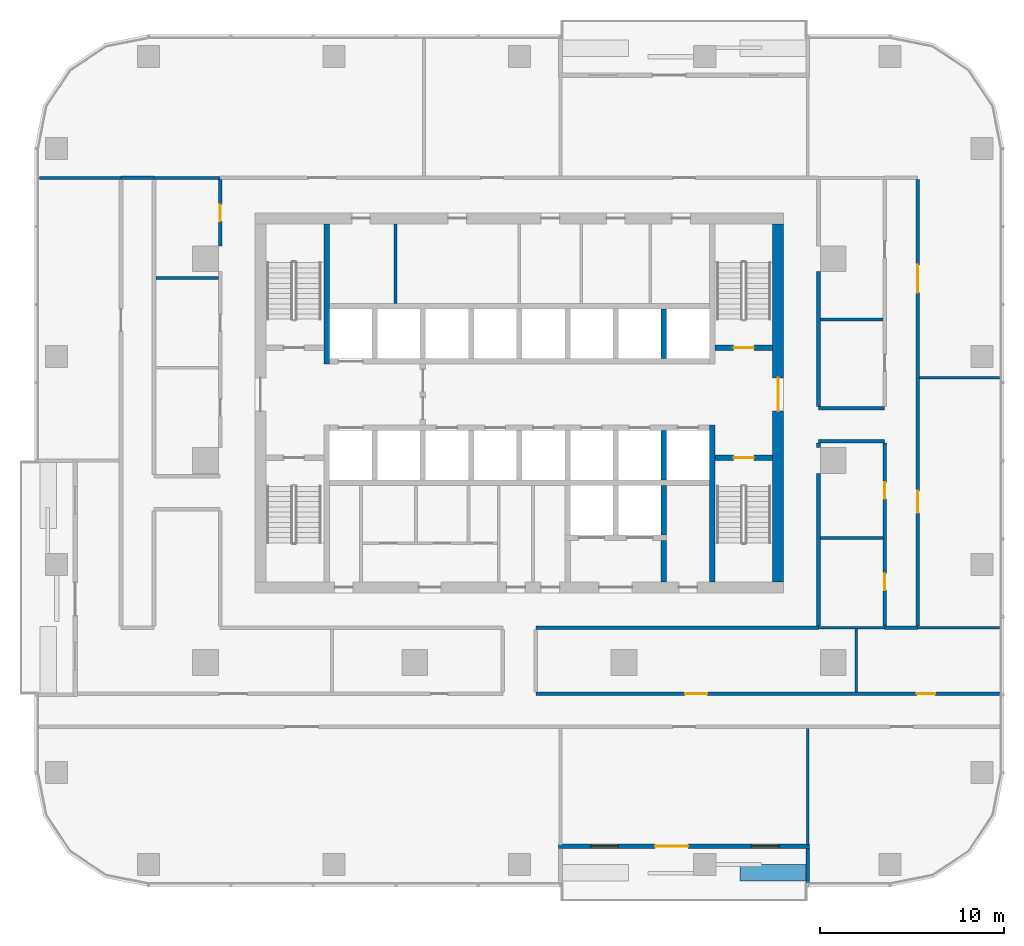
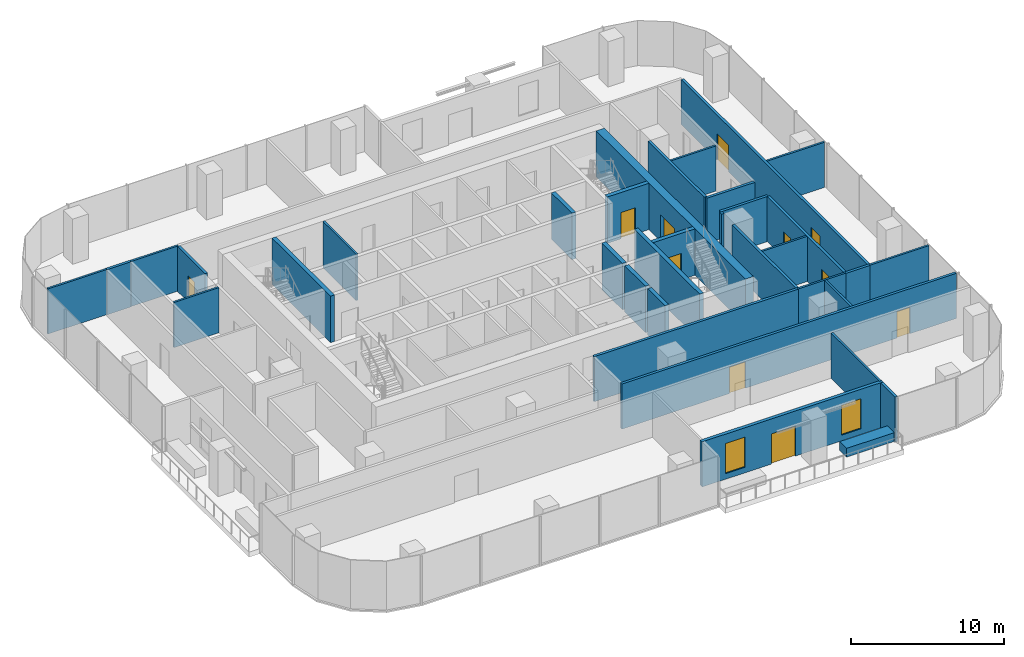
# One storey, part 9 of 14: 35 walls, 11 doors, 2 windows, 13 openings.
"""IFC4 building model written with IfcOpenShell, lengths in metres."""

import ifcopenshell
import ifcopenshell.guid

model = None  # the IFC model being written
_history = None  # IfcOwnerHistory: only IFC2X3 demands one
_inside = {}  # id of a spatial element -> (the spatial element, [elements in it])
_under = {}  # id of a project, library or spatial element -> (it, [spatial elements below it])
_declared = {}  # id of a project -> (the project, [libraries it declares])
_typed = {}  # id of a type object -> (the type object, [elements of that type])
_made_of = {}  # id of a material, layer set ... -> (it, [elements and type objects made of it])


def new_model(schema):
    """Start an empty IFC model of exactly this schema.

    Asked for "IFC4X3", IfcOpenShell would pick the latest addendum, in which some entities
    have other attributes; the version numbers below select the first issue.
    IFC2X3 requires an IfcOwnerHistory on every rooted entity: one is made here for all.
    """
    global model, _history
    if schema == "IFC4X3":
        model = ifcopenshell.file(schema_version=(4, 3, 0, 0))
    else:
        model = ifcopenshell.file(schema=schema)
    _inside.clear()
    _under.clear()
    _declared.clear()
    _typed.clear()
    _made_of.clear()
    _history = None
    if model.schema == "IFC2X3":
        org = make("IfcOrganization", Name="unknown")
        user = make(
            "IfcPersonAndOrganization",
            ThePerson=make("IfcPerson", FamilyName="unknown"),
            TheOrganization=org,
        )
        app = make(
            "IfcApplication",
            ApplicationDeveloper=org,
            Version="unknown",
            ApplicationFullName="unknown",
            ApplicationIdentifier="unknown",
        )
        _history = make(
            "IfcOwnerHistory",
            OwningUser=user,
            OwningApplication=app,
            ChangeAction="ADDED",
            CreationDate=0,
        )
    return model


def make(cls, **values):
    """One entity of the class cls with the attributes given. An attribute that is None is left unset."""
    return model.create_entity(
        cls, **{name: value for name, value in values.items() if value is not None}
    )


def rooted(cls, **values):
    """An entity with a GlobalId (a new one), such as an element, a storey or a relation."""
    return make(cls, GlobalId=ifcopenshell.guid.new(), OwnerHistory=_history, **values)


def si_unit(unit_type, name, prefix=None):
    """IfcSIUnit, for example si_unit("LENGTHUNIT", "METRE", prefix="MILLI")."""
    return make("IfcSIUnit", UnitType=unit_type, Prefix=prefix, Name=name)


def assignment(units):
    """IfcUnitAssignment: the units of a project."""
    return None if units is None else make("IfcUnitAssignment", Units=units)


def point(xyz):
    """IfcCartesianPoint."""
    return None if xyz is None else make("IfcCartesianPoint", Coordinates=xyz)


def direction(xyz):
    """IfcDirection."""
    return None if xyz is None else make("IfcDirection", DirectionRatios=xyz)


def frame(location, z_axis=None, x_axis=None):
    """IfcAxis2Placement3D, a coordinate frame: its origin and axes. An axis left out is left unset."""
    return make(
        "IfcAxis2Placement3D",
        Location=point(location),
        Axis=direction(z_axis),
        RefDirection=direction(x_axis),
    )


def frame_2d(location, x_axis=None):
    """IfcAxis2Placement2D, a coordinate frame in the plane: its origin and x axis."""
    return make(
        "IfcAxis2Placement2D", Location=point(location), RefDirection=direction(x_axis)
    )


def origin():
    """The frame at (0, 0, 0) with its axes left unset."""
    return frame((0.0, 0.0, 0.0))


def place(relative_to, where):
    """IfcLocalPlacement: puts the frame where relative to a parent placement (None: the world)."""
    return make(
        "IfcLocalPlacement", PlacementRelTo=relative_to, RelativePlacement=where
    )


def context(
    kind, dimensions, precision=None, world=None, true_north=None, identifier=None
):
    """IfcGeometricRepresentationContext, for example the 3D "Model" context."""
    return make(
        "IfcGeometricRepresentationContext",
        ContextIdentifier=identifier,
        ContextType=kind,
        CoordinateSpaceDimension=dimensions,
        Precision=precision,
        WorldCoordinateSystem=world,
        TrueNorth=true_north,
    )


def subcontext(parent, identifier, kind, view, scale=None):
    """IfcGeometricRepresentationSubContext, for example "Body" below "Model"."""
    return make(
        "IfcGeometricRepresentationSubContext",
        ContextIdentifier=identifier,
        ContextType=kind,
        ParentContext=parent,
        TargetScale=scale,
        TargetView=view,
    )


def project(units=None, contexts=None):
    """IfcProject with its units and contexts."""
    return rooted(
        "IfcProject",
        Name="project",
        RepresentationContexts=contexts,
        UnitsInContext=assignment(units),
    )


def spatial(cls, under=None, at=None, **own):
    """A site, building, storey or space (cls), placed at a placement, below another one or the project."""
    s = rooted(cls, ObjectPlacement=at, **own)
    if under is not None:
        _under.setdefault(under.id(), (under, []))[1].append(s)
    return s


def profile(cls, at=None, kind="AREA", **sizes):
    """A parametric profile (cls). Its sizes go by their IFC names, for example OverallWidth=200.0."""
    return make(cls, ProfileType=kind, Position=at, **sizes)


def rectangle(**sizes):
    """IfcRectangleProfileDef."""
    return profile("IfcRectangleProfileDef", **sizes)


def extrude(swept, where, along, depth):
    """IfcExtrudedAreaSolid: the profile swept, set in the frame where, extruded along a direction by depth."""
    return make(
        "IfcExtrudedAreaSolid",
        SweptArea=swept,
        Position=where,
        ExtrudedDirection=direction(along),
        Depth=depth,
    )


def shape(context_of_items, identifier, shape_type, items):
    """IfcShapeRepresentation: the items that make up one representation, for example the "Body"."""
    return make(
        "IfcShapeRepresentation",
        ContextOfItems=context_of_items,
        RepresentationIdentifier=identifier,
        RepresentationType=shape_type,
        Items=items,
    )


def material(Name=None, Category=None):
    """IfcMaterial."""
    return make("IfcMaterial", Name=Name, Category=Category)


def layer(
    of_material, thickness, ventilated=None, Name=None, Category=None, Priority=None
):
    """IfcMaterialLayer: one layer of a wall or slab, of a material (None: an air gap)."""
    return make(
        "IfcMaterialLayer",
        Material=of_material,
        LayerThickness=thickness,
        IsVentilated=ventilated,
        Name=Name,
        Category=Category,
        Priority=Priority,
    )


def layer_set(layers, Name=None):
    """IfcMaterialLayerSet."""
    return make("IfcMaterialLayerSet", MaterialLayers=layers, LayerSetName=Name)


def made_of(thing, what):
    """Note that an element or type object is made of a material, layer set ...; save() writes the relation."""
    if what is not None:
        _made_of.setdefault(what.id(), (what, []))[1].append(thing)
    return thing


def type_object(cls, material=None, **own):
    """A type object (cls), such as IfcWallType, which elements share."""
    return made_of(rooted(cls, **own), material)


def element(
    cls,
    number,
    at=None,
    inside=None,
    cuts=None,
    type_object=None,
    material=None,
    context=None,
    identifier="Body",
    shape_type=None,
    held_by="IfcProductDefinitionShape",
    body=None,
    shapes=None,
    **own,
):
    """One element of the class cls, such as IfcWall. Its Tag is "e" and its number.

    at: its placement. inside: the storey or other place that contains it. cuts: it is an
    opening in that element (IfcRelVoidsElement). A single representation is given by context,
    identifier, shape_type and body (its items); several are given by shapes. held_by: the class
    of the entity that holds the representations. save() writes the other relations.
    """
    e = rooted(cls, Tag="e%d" % number, ObjectPlacement=at, **own)
    if body is not None:
        shapes = [shape(context, identifier, shape_type, body)]
    if shapes is not None:
        e.Representation = make(held_by, Representations=shapes)
    if inside is not None:
        _inside.setdefault(inside.id(), (inside, []))[1].append(e)
    if cuts is not None:
        rooted(
            "IfcRelVoidsElement", RelatingBuildingElement=cuts, RelatedOpeningElement=e
        )
    if type_object is not None:
        _typed.setdefault(type_object.id(), (type_object, []))[1].append(e)
    return made_of(e, material)


def fill(opening, filler):
    """IfcRelFillsElement: the door or window that sits in an opening."""
    return rooted(
        "IfcRelFillsElement",
        RelatingOpeningElement=opening,
        RelatedBuildingElement=filler,
    )


def aggregate(whole, parts):
    """IfcRelAggregates: a whole, such as a stair, and the parts it consists of."""
    return rooted("IfcRelAggregates", RelatingObject=whole, RelatedObjects=parts)


def save(model, path):
    """Write the relations noted so far, then the file.

    IfcRelAggregates (storeys below a building ...), IfcRelContainedInSpatialStructure (elements
    in a storey), IfcRelDefinesByType, IfcRelAssociatesMaterial and IfcRelDeclares: one each for
    every whole, place, type object, material and project.
    """
    for whole, parts in _under.values():
        aggregate(whole, parts)
    for where, things in _inside.values():
        rooted(
            "IfcRelContainedInSpatialStructure",
            RelatedElements=things,
            RelatingStructure=where,
        )
    for kind, things in _typed.values():
        rooted("IfcRelDefinesByType", RelatedObjects=things, RelatingType=kind)
    for what, things in _made_of.values():
        rooted("IfcRelAssociatesMaterial", RelatedObjects=things, RelatingMaterial=what)
    for by, libraries in _declared.values():
        rooted("IfcRelDeclares", RelatingContext=by, RelatedDefinitions=libraries)
    model.write(path)


model = new_model("IFC4")

# Units and contexts
model_context = context("Model", 3, precision=1e-05, world=origin(), true_north=direction((0.0, 1.0)))
body_context = subcontext(model_context, "Body", "Model", "MODEL_VIEW")
ifc_project = project(units=[si_unit("LENGTHUNIT", "METRE"), si_unit("AREAUNIT", "SQUARE_METRE"), si_unit("VOLUMEUNIT", "CUBIC_METRE"), si_unit("PLANEANGLEUNIT", "RADIAN"), si_unit("MASSUNIT", "GRAM", prefix="KILO")], contexts=[model_context])

# Site, building, storey
site_placement = place(None, origin())
site = spatial("IfcSite", under=ifc_project, at=site_placement, CompositionType="ELEMENT")
building_placement = place(site_placement, origin())
building = spatial("IfcBuilding", under=site, at=building_placement, Name="Mopane Tessera Tower", CompositionType="ELEMENT")
storey_placement = place(building_placement, frame((0.0, 0.0, 189.0)))
storey = spatial("IfcBuildingStorey", under=building, at=storey_placement, Name="L39", CompositionType="ELEMENT", Elevation=189.0)

# Wall
ifc_material_1 = material(Name="Fire-rated gypsum board partition")
ifc_layer_1 = layer(ifc_material_1, 0.14990234375)
ifc_layer_set_1 = layer_set([ifc_layer_1], Name="Fire-rated gypsum board partition")
wall_type_1 = type_object("IfcWallType", Name="Core room partition 150 mm", PredefinedType="PARTITIONING", material=ifc_layer_set_1)
wall_1_placement = place(storey_placement, frame((-6.75, 8.550048828125, 0.0), z_axis=(0.0, 0.0, 1.0), x_axis=(0.0, 1.0, 0.0)))
element("IfcWall", 1, at=wall_1_placement, inside=storey, type_object=wall_type_1, Name="L39 Room partition", PredefinedType="PARTITIONING", context=body_context, shape_type="SweptSolid", body=[
    extrude(rectangle(XDim=4.349853515625, YDim=0.14990234375, at=frame_2d((2.1748046875, 0.0))), origin(), (0.0, 0.0, 1.0), 3.699951171875),
])

# Wall, opening, door
ifc_material_2 = material(Name="Concrete C70/85", Category="concrete")
ifc_layer_2 = layer(ifc_material_2, 0.60009765625)
ifc_layer_set_2 = layer_set([ifc_layer_2], Name="Concrete C70/85")
wall_type_2 = type_object("IfcWallType", Name="Core shear wall 600 mm", PredefinedType="SHEAR", material=ifc_layer_set_2)
wall_2_placement = place(storey_placement, frame((14.10009765625, -6.60009765625, 0.0), z_axis=(0.0, 0.0, 1.0), x_axis=(0.0, 1.0, 0.0)))
wall_2 = element("IfcWall", 2, at=wall_2_placement, inside=storey, type_object=wall_type_2, Name="L39 Core wall east", PredefinedType="SHEAR", context=body_context, shape_type="SweptSolid", body=[
    extrude(rectangle(XDim=19.5, YDim=0.60009765625, at=frame_2d((9.75, 0.0))), origin(), (0.0, 0.0, 1.0), 3.699951171875),
])
opening_1_placement = place(wall_2_placement, frame((9.300048828125, 0.0, 0.0)))
opening_1 = element("IfcOpeningElement", 3, at=opening_1_placement, cuts=wall_2, Name="Opening SD2", PredefinedType="OPENING", context=body_context, shape_type="SweptSolid", body=[
    extrude(rectangle(XDim=1.800048828125, YDim=2.10009765625, at=frame_2d((0.89990234375, 1.050048828125))), frame((0.0, 0.31201171875, 0.0), z_axis=(0.0, -1.0, 0.0), x_axis=(1.0, 0.0, 0.0)), (0.0, 0.0, 1.0), 0.6240234375),
])
ifc_material_3 = material(Name="Steel fire door", Category="steel")
door_type_1 = type_object("IfcDoorType", Name="Core entrance double door 1800 x 2100", OperationType="DOUBLE_DOOR_SINGLE_SWING", PredefinedType="DOOR", material=ifc_material_3)
door_1_placement = place(opening_1_placement, origin())
door_1 = element("IfcDoor", 4, at=door_1_placement, inside=storey, type_object=door_type_1, Name="L39 Core entrance door east", OperationType="DOUBLE_DOOR_SINGLE_SWING", OverallHeight=2.10009765625, OverallWidth=1.800048828125, PredefinedType="DOOR", context=body_context, shape_type="SweptSolid", body=[
    extrude(rectangle(XDim=1.800048828125, YDim=2.10009765625, at=frame_2d((0.89990234375, 1.050048828125))), frame((0.0, 0.02490234375, 0.0), z_axis=(0.0, -1.0, 0.0), x_axis=(1.0, 0.0, 0.0)), (0.0, 0.0, 1.0), 0.050048828125),
])
fill(opening_1, door_1)

# Walls
ifc_material_4 = material(Name="Concrete C60/75", Category="concrete")
ifc_layer_3 = layer(ifc_material_4, 0.300048828125)
ifc_layer_set_3 = layer_set([ifc_layer_3], Name="Concrete C60/75")
wall_type_3 = type_object("IfcWallType", Name="Core spine wall 300 mm", PredefinedType="SHEAR", material=ifc_layer_set_3)
wall_3_placement = place(storey_placement, frame((-10.5, 5.25, 0.0), z_axis=(0.0, 0.0, 1.0), x_axis=(0.0, 1.0, 0.0)))
element("IfcWall", 5, at=wall_3_placement, inside=storey, type_object=wall_type_3, Name="L39 Core spine wall", PredefinedType="SHEAR", context=body_context, shape_type="SweptSolid", body=[
    extrude(rectangle(XDim=7.64990234375, YDim=0.300048828125, at=frame_2d((3.824951171875, 0.0))), origin(), (0.0, 0.0, 1.0), 3.699951171875),
])
wall_4_placement = place(storey_placement, frame((10.5, -6.60009765625, 0.0), z_axis=(0.0, 0.0, 1.0), x_axis=(0.0, 1.0, 0.0)))
element("IfcWall", 6, at=wall_4_placement, inside=storey, type_object=wall_type_3, Name="L39 Core spine wall", PredefinedType="SHEAR", context=body_context, shape_type="SweptSolid", body=[
    extrude(rectangle(XDim=8.550048828125, YDim=0.300048828125, at=frame_2d((4.27490234375, 0.0))), origin(), (0.0, 0.0, 1.0), 3.699951171875),
])

# Wall, openings, doors
ifc_material_5 = material(Name="Gypsum board on steel studs, two layers each face, mineral wool infill", Category="steel")
ifc_layer_4 = layer(ifc_material_5, 0.199951171875)
ifc_layer_set_4 = layer_set([ifc_layer_4], Name="Gypsum board on steel studs, two layers each face, mineral wool infill")
wall_type_4 = type_object("IfcWallType", Name="Gypsum board corridor wall 200, rated EI 60", PredefinedType="PARTITIONING", material=ifc_layer_set_4)
wall_5_placement = place(storey_placement, frame((0.89990234375, -12.699951171875, 0.0), z_axis=(0.0, 0.0, 1.0), x_axis=(1.0, 0.0, 0.0)))
wall_5 = element("IfcWall", 7, at=wall_5_placement, inside=storey, type_object=wall_type_4, Name="Partition L39:002", PredefinedType="PARTITIONING", context=body_context, shape_type="SweptSolid", body=[
    extrude(rectangle(XDim=25.25, YDim=0.199951171875, at=frame_2d((12.625, 0.0))), origin(), (0.0, 0.0, 1.0), 3.60009765625),
])
opening_2_placement = place(wall_5_placement, frame((20.75, 0.0, 0.0)))
opening_2 = element("IfcOpeningElement", 8, at=opening_2_placement, cuts=wall_5, Name="Opening L39-09", PredefinedType="OPENING", context=body_context, shape_type="SweptSolid", body=[
    extrude(rectangle(XDim=1.0, YDim=2.10009765625, at=frame_2d((0.5, 1.050048828125))), frame((0.0, 0.112060546875, 0.0), z_axis=(0.0, -1.0, 0.0), x_axis=(1.0, 0.0, 0.0)), (0.0, 0.0, 1.0), 0.223876953125),
])
opening_3_placement = place(wall_5_placement, frame((8.125, 0.0, 0.0)))
opening_3 = element("IfcOpeningElement", 9, at=opening_3_placement, cuts=wall_5, Name="Opening L39-10", PredefinedType="OPENING", context=body_context, shape_type="SweptSolid", body=[
    extrude(rectangle(XDim=1.199951171875, YDim=2.10009765625, at=frame_2d((0.60009765625, 1.050048828125))), frame((0.0, 0.112060546875, 0.0), z_axis=(0.0, -1.0, 0.0), x_axis=(1.0, 0.0, 0.0)), (0.0, 0.0, 1.0), 0.223876953125),
])
ifc_material_6 = material(Name="Timber veneered steel-framed fire door", Category="steel")
door_type_2 = type_object("IfcDoorType", Name="Fire door FD60 1000 x 2100", OperationType="SINGLE_SWING_LEFT", PredefinedType="DOOR", material=ifc_material_6)
door_2_placement = place(opening_2_placement, origin())
door_2 = element("IfcDoor", 10, at=door_2_placement, inside=storey, type_object=door_type_2, Name="Door L39-09", ObjectType="D12A", OperationType="SINGLE_SWING_RIGHT", OverallHeight=2.10009765625, OverallWidth=1.0, PredefinedType="DOOR", context=body_context, shape_type="SweptSolid", body=[
    extrude(rectangle(XDim=1.0, YDim=2.10009765625, at=frame_2d((0.5, 1.050048828125))), frame((0.0, 0.02490234375, 0.0), z_axis=(0.0, -1.0, 0.0), x_axis=(1.0, 0.0, 0.0)), (0.0, 0.0, 1.0), 0.050048828125),
])
fill(opening_2, door_2)
ifc_material_7 = material(Name="Timber veneered steel-framed fire door", Category="steel")
door_type_3 = type_object("IfcDoorType", Name="Fire door FD60 1200 x 2100", OperationType="SINGLE_SWING_LEFT", PredefinedType="DOOR", material=ifc_material_7)
door_3_placement = place(opening_3_placement, origin())
door_3 = element("IfcDoor", 11, at=door_3_placement, inside=storey, type_object=door_type_3, Name="Door L39-10", ObjectType="D15A", OperationType="SINGLE_SWING_LEFT", OverallHeight=2.10009765625, OverallWidth=1.199951171875, PredefinedType="DOOR", context=body_context, shape_type="SweptSolid", body=[
    extrude(rectangle(XDim=1.199951171875, YDim=2.10009765625, at=frame_2d((0.60009765625, 1.050048828125))), frame((0.0, 0.02490234375, 0.0), z_axis=(0.0, -1.0, 0.0), x_axis=(1.0, 0.0, 0.0)), (0.0, 0.0, 1.0), 0.050048828125),
])
fill(opening_3, door_3)

# Walls
wall_6_placement = place(storey_placement, frame((0.89990234375, -9.10009765625, 0.0), z_axis=(0.0, 0.0, 1.0), x_axis=(1.0, 0.0, 0.0)))
element("IfcWall", 12, at=wall_6_placement, inside=storey, type_object=wall_type_4, Name="Partition L39:007", PredefinedType="PARTITIONING", context=body_context, shape_type="SweptSolid", body=[
    extrude(rectangle(XDim=15.400146484375, YDim=0.199951171875, at=frame_2d((7.7001953125, 0.0))), origin(), (0.0, 0.0, 1.0), 3.60009765625),
])
wall_7_placement = place(storey_placement, frame((19.89990234375, -9.10009765625, 0.0), z_axis=(0.0, 0.0, 1.0), x_axis=(1.0, 0.0, 0.0)))
element("IfcWall", 13, at=wall_7_placement, inside=storey, type_object=wall_type_4, Name="Partition L39:008", PredefinedType="PARTITIONING", context=body_context, shape_type="SweptSolid", body=[
    extrude(rectangle(XDim=1.800048828125, YDim=0.199951171875, at=frame_2d((0.89990234375, 0.0))), origin(), (0.0, 0.0, 1.0), 3.60009765625),
])
for number, where, z_axis, x_axis, name in (
    (14, (16.300048828125, 1.050048828125, 0.0), (0.0, 0.0, 1.0), (1.0, 0.0, 0.0), "Partition L39:013"),
    (15, (16.300048828125, 2.85009765625, 0.0), (0.0, 0.0, 1.0), (1.0, 0.0, 0.0), "Partition L39:014"),
):
    element("IfcWall", number, at=place(storey_placement, frame(where, z_axis=z_axis, x_axis=x_axis)), inside=storey, type_object=wall_type_4, Name=name, PredefinedType="PARTITIONING", context=body_context, shape_type="SweptSolid", body=[
        extrude(rectangle(XDim=3.599853515625, YDim=0.199951171875, at=frame_2d((1.7998046875, 0.0))), origin(), (0.0, 0.0, 1.0), 3.60009765625),
    ])
wall_8_placement = place(storey_placement, frame((-21.699951171875, 15.39990234375, 0.0), z_axis=(0.0, 0.0, 1.0), x_axis=(1.0, 0.0, 0.0)))
element("IfcWall", 16, at=wall_8_placement, inside=storey, type_object=wall_type_4, Name="Partition L39:022", PredefinedType="PARTITIONING", context=body_context, shape_type="SweptSolid", body=[
    extrude(rectangle(XDim=1.800048828125, YDim=0.199951171875, at=frame_2d((0.89990234375, 0.0))), origin(), (0.0, 0.0, 1.0), 3.60009765625),
])

# Wall, opening, door
wall_9_placement = place(storey_placement, frame((-16.300048828125, 11.699951171875, 0.0), z_axis=(0.0, 0.0, 1.0), x_axis=(0.0, 1.0, 0.0)))
wall_9 = element("IfcWall", 17, at=wall_9_placement, inside=storey, type_object=wall_type_4, Name="Partition L39:030", PredefinedType="PARTITIONING", context=body_context, shape_type="SweptSolid", body=[
    extrude(rectangle(XDim=3.60009765625, YDim=0.199951171875, at=frame_2d((1.800048828125, 0.0))), origin(), (0.0, 0.0, 1.0), 3.60009765625),
])
opening_4_placement = place(wall_9_placement, frame((1.35009765625, 0.0, 0.0)))
opening_4 = element("IfcOpeningElement", 18, at=opening_4_placement, cuts=wall_9, Name="Opening L39-17", PredefinedType="OPENING", context=body_context, shape_type="SweptSolid", body=[
    extrude(rectangle(XDim=0.89990234375, YDim=2.10009765625, at=frame_2d((0.449951171875, 1.050048828125))), frame((0.0, 0.112060546875, 0.0), z_axis=(0.0, -1.0, 0.0), x_axis=(1.0, 0.0, 0.0)), (0.0, 0.0, 1.0), 0.223876953125),
])
ifc_material_8 = material(Name="Timber veneered steel-framed fire door", Category="steel")
door_type_4 = type_object("IfcDoorType", Name="Fire door FD60 900 x 2100", OperationType="SINGLE_SWING_LEFT", PredefinedType="DOOR", material=ifc_material_8)
door_4_placement = place(opening_4_placement, origin())
door_4 = element("IfcDoor", 19, at=door_4_placement, inside=storey, type_object=door_type_4, Name="Door L39-17", ObjectType="D10A", OperationType="SINGLE_SWING_RIGHT", OverallHeight=2.10009765625, OverallWidth=0.89990234375, PredefinedType="DOOR", context=body_context, shape_type="SweptSolid", body=[
    extrude(rectangle(XDim=0.89990234375, YDim=2.10009765625, at=frame_2d((0.449951171875, 1.050048828125))), frame((0.0, 0.02490234375, 0.0), z_axis=(0.0, -1.0, 0.0), x_axis=(1.0, 0.0, 0.0)), (0.0, 0.0, 1.0), 0.050048828125),
])
fill(opening_4, door_4)

# Walls
wall_10_placement = place(storey_placement, frame((16.300048828125, -9.0, 0.0), z_axis=(0.0, 0.0, 1.0), x_axis=(0.0, 1.0, 0.0)))
element("IfcWall", 20, at=wall_10_placement, inside=storey, type_object=wall_type_4, Name="Partition L39:039", PredefinedType="PARTITIONING", context=body_context, shape_type="SweptSolid", body=[
    extrude(rectangle(XDim=8.300048828125, YDim=0.199951171875, at=frame_2d((4.14990234375, 0.0))), origin(), (0.0, 0.0, 1.0), 3.60009765625),
])
wall_11_placement = place(storey_placement, frame((16.300048828125, 0.699951171875, 0.0), z_axis=(0.0, 0.0, 1.0), x_axis=(0.0, 1.0, 0.0)))
element("IfcWall", 21, at=wall_11_placement, inside=storey, type_object=wall_type_4, Name="Partition L39:040", PredefinedType="PARTITIONING", context=body_context, shape_type="SweptSolid", body=[
    extrude(rectangle(XDim=0.25, YDim=0.199951171875, at=frame_2d((0.125, 0.0))), origin(), (0.0, 0.0, 1.0), 3.60009765625),
])
wall_12_placement = place(storey_placement, frame((16.300048828125, 2.949951171875, 0.0), z_axis=(0.0, 0.0, 1.0), x_axis=(0.0, 1.0, 0.0)))
element("IfcWall", 22, at=wall_12_placement, inside=storey, type_object=wall_type_4, Name="Partition L39:041", PredefinedType="PARTITIONING", context=body_context, shape_type="SweptSolid", body=[
    extrude(rectangle(XDim=7.35009765625, YDim=0.199951171875, at=frame_2d((3.675048828125, 0.0))), origin(), (0.0, 0.0, 1.0), 3.60009765625),
])

# Wall, openings, doors
wall_13_placement = place(storey_placement, frame((19.89990234375, -9.0, 0.0), z_axis=(0.0, 0.0, 1.0), x_axis=(0.0, 1.0, 0.0)))
wall_13 = element("IfcWall", 23, at=wall_13_placement, inside=storey, type_object=wall_type_4, Name="Partition L39:044", PredefinedType="PARTITIONING", context=body_context, shape_type="SweptSolid", body=[
    extrude(rectangle(XDim=9.949951171875, YDim=0.199951171875, at=frame_2d((4.97509765625, 0.0))), origin(), (0.0, 0.0, 1.0), 3.60009765625),
])
opening_5_placement = place(wall_13_placement, frame((1.9423828125, 0.0, 0.0)))
opening_5 = element("IfcOpeningElement", 24, at=opening_5_placement, cuts=wall_13, Name="Opening L39-05", PredefinedType="OPENING", context=body_context, shape_type="SweptSolid", body=[
    extrude(rectangle(XDim=0.89990234375, YDim=2.10009765625, at=frame_2d((0.449951171875, 1.050048828125))), frame((0.0, 0.112060546875, 0.0), z_axis=(0.0, -1.0, 0.0), x_axis=(1.0, 0.0, 0.0)), (0.0, 0.0, 1.0), 0.223876953125),
])
opening_6_placement = place(wall_13_placement, frame((6.91748046875, 0.0, 0.0)))
opening_6 = element("IfcOpeningElement", 25, at=opening_6_placement, cuts=wall_13, Name="Opening L39-07", PredefinedType="OPENING", context=body_context, shape_type="SweptSolid", body=[
    extrude(rectangle(XDim=0.89990234375, YDim=2.10009765625, at=frame_2d((0.449951171875, 1.050048828125))), frame((0.0, 0.112060546875, 0.0), z_axis=(0.0, -1.0, 0.0), x_axis=(1.0, 0.0, 0.0)), (0.0, 0.0, 1.0), 0.223876953125),
])
door_5_placement = place(opening_5_placement, origin())
door_5 = element("IfcDoor", 26, at=door_5_placement, inside=storey, type_object=door_type_4, Name="Door L39-05", ObjectType="D10A", OperationType="SINGLE_SWING_RIGHT", OverallHeight=2.10009765625, OverallWidth=0.89990234375, PredefinedType="DOOR", context=body_context, shape_type="SweptSolid", body=[
    extrude(rectangle(XDim=0.89990234375, YDim=2.10009765625, at=frame_2d((0.449951171875, 1.050048828125))), frame((0.0, 0.02490234375, 0.0), z_axis=(0.0, -1.0, 0.0), x_axis=(1.0, 0.0, 0.0)), (0.0, 0.0, 1.0), 0.050048828125),
])
fill(opening_5, door_5)
door_6_placement = place(opening_6_placement, origin())
door_6 = element("IfcDoor", 27, at=door_6_placement, inside=storey, type_object=door_type_4, Name="Door L39-07", ObjectType="D10A", OperationType="SINGLE_SWING_RIGHT", OverallHeight=2.10009765625, OverallWidth=0.89990234375, PredefinedType="DOOR", context=body_context, shape_type="SweptSolid", body=[
    extrude(rectangle(XDim=0.89990234375, YDim=2.10009765625, at=frame_2d((0.449951171875, 1.050048828125))), frame((0.0, 0.02490234375, 0.0), z_axis=(0.0, -1.0, 0.0), x_axis=(1.0, 0.0, 0.0)), (0.0, 0.0, 1.0), 0.050048828125),
])
fill(opening_6, door_6)

wall_14_placement = place(storey_placement, frame((21.699951171875, -9.0, 0.0), z_axis=(0.0, 0.0, 1.0), x_axis=(0.0, 1.0, 0.0)))
wall_14 = element("IfcWall", 28, at=wall_14_placement, inside=storey, type_object=wall_type_4, Name="Partition L39:046", PredefinedType="PARTITIONING", context=body_context, shape_type="SweptSolid", body=[
    extrude(rectangle(XDim=24.300048828125, YDim=0.199951171875, at=frame_2d((12.14990234375, 0.0))), origin(), (0.0, 0.0, 1.0), 3.60009765625),
])
opening_7_placement = place(wall_14_placement, frame((18.155029296875, 0.0, 0.0)))
opening_7 = element("IfcOpeningElement", 29, at=opening_7_placement, cuts=wall_14, Name="Opening L39-02", PredefinedType="OPENING", context=body_context, shape_type="SweptSolid", body=[
    extrude(rectangle(XDim=1.5, YDim=2.10009765625, at=frame_2d((0.75, 1.050048828125))), frame((0.0, 0.112060546875, 0.0), z_axis=(0.0, -1.0, 0.0), x_axis=(1.0, 0.0, 0.0)), (0.0, 0.0, 1.0), 0.223876953125),
])
opening_8_placement = place(wall_14_placement, frame((6.155029296875, 0.0, 0.0)))
opening_8 = element("IfcOpeningElement", 30, at=opening_8_placement, cuts=wall_14, Name="Opening L39-16", PredefinedType="OPENING", context=body_context, shape_type="SweptSolid", body=[
    extrude(rectangle(XDim=1.199951171875, YDim=2.10009765625, at=frame_2d((0.60009765625, 1.050048828125))), frame((0.0, 0.112060546875, 0.0), z_axis=(0.0, -1.0, 0.0), x_axis=(1.0, 0.0, 0.0)), (0.0, 0.0, 1.0), 0.223876953125),
])
door_7_placement = place(opening_8_placement, origin())
door_7 = element("IfcDoor", 31, at=door_7_placement, inside=storey, type_object=door_type_3, Name="Door L39-16", ObjectType="D15A", OperationType="SINGLE_SWING_RIGHT", OverallHeight=2.10009765625, OverallWidth=1.199951171875, PredefinedType="DOOR", context=body_context, shape_type="SweptSolid", body=[
    extrude(rectangle(XDim=1.199951171875, YDim=2.10009765625, at=frame_2d((0.60009765625, 1.050048828125))), frame((0.0, 0.02490234375, 0.0), z_axis=(0.0, -1.0, 0.0), x_axis=(1.0, 0.0, 0.0)), (0.0, 0.0, 1.0), 0.050048828125),
])
fill(opening_8, door_7)
ifc_material_9 = material(Name="Timber veneered steel-framed fire door", Category="steel")
door_type_5 = type_object("IfcDoorType", Name="Fire door pair FD60 1500 x 2100", OperationType="DOUBLE_DOOR_SINGLE_SWING", PredefinedType="DOOR", material=ifc_material_9)
door_8_placement = place(opening_7_placement, origin())
door_8 = element("IfcDoor", 32, at=door_8_placement, inside=storey, type_object=door_type_5, Name="Door L39-02", ObjectType="D17A", OperationType="DOUBLE_DOOR_SINGLE_SWING", OverallHeight=2.10009765625, OverallWidth=1.5, PredefinedType="DOOR", context=body_context, shape_type="SweptSolid", body=[
    extrude(rectangle(XDim=1.5, YDim=2.10009765625, at=frame_2d((0.75, 1.050048828125))), frame((0.0, 0.02490234375, 0.0), z_axis=(0.0, -1.0, 0.0), x_axis=(1.0, 0.0, 0.0)), (0.0, 0.0, 1.0), 0.050048828125),
])
fill(opening_7, door_8)

# Walls
ifc_material_10 = material(Name="Gypsum board on steel studs, mineral wool infill", Category="steel")
ifc_layer_5 = layer(ifc_material_10, 0.14990234375)
ifc_layer_set_5 = layer_set([ifc_layer_5], Name="Gypsum board on steel studs, mineral wool infill")
wall_type_5 = type_object("IfcWallType", Name="Gypsum board partition 150, rated EI 60", PredefinedType="PARTITIONING", material=ifc_layer_set_5)
wall_15_placement = place(storey_placement, frame((16.300048828125, -9.10009765625, 0.0), z_axis=(0.0, 0.0, 1.0), x_axis=(1.0, 0.0, 0.0)))
element("IfcWall", 33, at=wall_15_placement, inside=storey, type_object=wall_type_5, Name="Partition L39:003", PredefinedType="PARTITIONING", context=body_context, shape_type="SweptSolid", body=[
    extrude(rectangle(XDim=3.599853515625, YDim=0.14990234375, at=frame_2d((1.7998046875, 0.0))), origin(), (0.0, 0.0, 1.0), 3.60009765625),
])
wall_16_placement = place(storey_placement, frame((21.699951171875, -9.10009765625, 0.0), z_axis=(0.0, 0.0, 1.0), x_axis=(1.0, 0.0, 0.0)))
element("IfcWall", 34, at=wall_16_placement, inside=storey, type_object=wall_type_5, Name="Partition L39:004", PredefinedType="PARTITIONING", context=body_context, shape_type="SweptSolid", body=[
    extrude(rectangle(XDim=4.449951171875, YDim=0.14990234375, at=frame_2d((2.22509765625, 0.0))), origin(), (0.0, 0.0, 1.0), 3.60009765625),
])
wall_17_placement = place(storey_placement, frame((16.39990234375, -4.215087890625, 0.0), z_axis=(0.0, 0.0, 1.0), x_axis=(1.0, 0.0, 0.0)))
element("IfcWall", 35, at=wall_17_placement, inside=storey, type_object=wall_type_5, Name="Partition L39:009", PredefinedType="PARTITIONING", context=body_context, shape_type="SweptSolid", body=[
    extrude(rectangle(XDim=3.400146484375, YDim=0.14990234375, at=frame_2d((1.7001953125, 0.0))), origin(), (0.0, 0.0, 1.0), 3.60009765625),
])
wall_18_placement = place(storey_placement, frame((21.800048828125, 4.510009765625, 0.0), z_axis=(0.0, 0.0, 1.0), x_axis=(1.0, 0.0, 0.0)))
element("IfcWall", 36, at=wall_18_placement, inside=storey, type_object=wall_type_5, Name="Partition L39:015", PredefinedType="PARTITIONING", context=body_context, shape_type="SweptSolid", body=[
    extrude(rectangle(XDim=4.349853515625, YDim=0.14990234375, at=frame_2d((2.1748046875, 0.0))), origin(), (0.0, 0.0, 1.0), 3.60009765625),
])
for number, where, z_axis, x_axis, name in (
    (37, (16.39990234375, 7.68505859375, 0.0), (0.0, 0.0, 1.0), (1.0, 0.0, 0.0), "Partition L39:017"),
    (38, (-19.800048828125, 9.945068359375, 0.0), (0.0, 0.0, 1.0), (1.0, 0.0, 0.0), "Partition L39:018"),
):
    element("IfcWall", number, at=place(storey_placement, frame(where, z_axis=z_axis, x_axis=x_axis)), inside=storey, type_object=wall_type_5, Name=name, PredefinedType="PARTITIONING", context=body_context, shape_type="SweptSolid", body=[
        extrude(rectangle(XDim=3.400146484375, YDim=0.14990234375, at=frame_2d((1.7001953125, 0.0))), origin(), (0.0, 0.0, 1.0), 3.60009765625),
    ])
wall_19_placement = place(storey_placement, frame((-26.14990234375, 15.39990234375, 0.0), z_axis=(0.0, 0.0, 1.0), x_axis=(1.0, 0.0, 0.0)))
element("IfcWall", 39, at=wall_19_placement, inside=storey, type_object=wall_type_5, Name="Partition L39:019", PredefinedType="PARTITIONING", context=body_context, shape_type="SweptSolid", body=[
    extrude(rectangle(XDim=4.449951171875, YDim=0.14990234375, at=frame_2d((2.22509765625, 0.0))), origin(), (0.0, 0.0, 1.0), 3.60009765625),
])
wall_20_placement = place(storey_placement, frame((-19.89990234375, 15.39990234375, 0.0), z_axis=(0.0, 0.0, 1.0), x_axis=(1.0, 0.0, 0.0)))
element("IfcWall", 40, at=wall_20_placement, inside=storey, type_object=wall_type_5, Name="Partition L39:020", PredefinedType="PARTITIONING", context=body_context, shape_type="SweptSolid", body=[
    extrude(rectangle(XDim=3.599853515625, YDim=0.14990234375, at=frame_2d((1.7998046875, 0.0))), origin(), (0.0, 0.0, 1.0), 3.60009765625),
])
wall_21_placement = place(storey_placement, frame((15.7099609375, -20.949951171875, 0.0), z_axis=(0.0, 0.0, 1.0), x_axis=(0.0, 1.0, 0.0)))
element("IfcWall", 41, at=wall_21_placement, inside=storey, type_object=wall_type_5, Name="Partition L39:037", PredefinedType="PARTITIONING", context=body_context, shape_type="SweptSolid", body=[
    extrude(rectangle(XDim=6.349853515625, YDim=0.14990234375, at=frame_2d((3.1748046875, 0.0))), origin(), (0.0, 0.0, 1.0), 3.60009765625),
])
wall_22_placement = place(storey_placement, frame((18.35009765625, -12.60009765625, 0.0), z_axis=(0.0, 0.0, 1.0), x_axis=(0.0, 1.0, 0.0)))
element("IfcWall", 42, at=wall_22_placement, inside=storey, type_object=wall_type_5, Name="Partition L39:043", PredefinedType="PARTITIONING", context=body_context, shape_type="SweptSolid", body=[
    extrude(rectangle(XDim=3.425048828125, YDim=0.14990234375, at=frame_2d((1.71240234375, 0.0))), origin(), (0.0, 0.0, 1.0), 3.60009765625),
])

# Wall, opening, door
ifc_material_11 = material(Name="Concrete C50/60", Category="concrete")
ifc_layer_6 = layer(ifc_material_11, 0.300048828125)
ifc_layer_set_6 = layer_set([ifc_layer_6], Name="Concrete C50/60")
wall_type_6 = type_object("IfcWallType", Name="Lift and stair shaft wall 300 mm", PredefinedType="SOLIDWALL", material=ifc_layer_set_6)
wall_23_placement = place(storey_placement, frame((10.64990234375, 0.14990234375, 0.0), z_axis=(0.0, 0.0, 1.0), x_axis=(1.0, 0.0, 0.0)))
wall_23 = element("IfcWall", 43, at=wall_23_placement, inside=storey, type_object=wall_type_6, Name="L39 Stair enclosure wall", PredefinedType="SOLIDWALL", context=body_context, shape_type="SweptSolid", body=[
    extrude(rectangle(XDim=3.150146484375, YDim=0.300048828125, at=frame_2d((1.5751953125, 0.0))), origin(), (0.0, 0.0, 1.0), 3.699951171875),
])
opening_9_placement = place(wall_23_placement, frame((1.02490234375, 0.0, 0.0)))
opening_9 = element("IfcOpeningElement", 44, at=opening_9_placement, cuts=wall_23, Name="Opening SD1", PredefinedType="OPENING", context=body_context, shape_type="SweptSolid", body=[
    extrude(rectangle(XDim=1.10009765625, YDim=2.10009765625, at=frame_2d((0.550048828125, 1.050048828125))), frame((0.0, 0.162109375, 0.0), z_axis=(0.0, -1.0, 0.0), x_axis=(1.0, 0.0, 0.0)), (0.0, 0.0, 1.0), 0.323974609375),
])
ifc_material_12 = material(Name="Steel fire door", Category="steel")
door_type_6 = type_object("IfcDoorType", Name="Stair fire door 1100 x 2100", OperationType="SINGLE_SWING_LEFT", PredefinedType="DOOR", material=ifc_material_12)
door_9_placement = place(opening_9_placement, origin())
door_9 = element("IfcDoor", 45, at=door_9_placement, inside=storey, type_object=door_type_6, Name="L39 Stair door ST3", OperationType="SINGLE_SWING_RIGHT", OverallHeight=2.10009765625, OverallWidth=1.10009765625, PredefinedType="DOOR", context=body_context, shape_type="SweptSolid", body=[
    extrude(rectangle(XDim=1.10009765625, YDim=2.10009765625, at=frame_2d((0.550048828125, 1.050048828125))), frame((0.0, 0.02490234375, 0.0), z_axis=(0.0, -1.0, 0.0), x_axis=(1.0, 0.0, 0.0)), (0.0, 0.0, 1.0), 0.050048828125),
])
fill(opening_9, door_9)

wall_24_placement = place(storey_placement, frame((10.64990234375, 6.14990234375, 0.0), z_axis=(0.0, 0.0, 1.0), x_axis=(1.0, 0.0, 0.0)))
wall_24 = element("IfcWall", 46, at=wall_24_placement, inside=storey, type_object=wall_type_6, Name="L39 Stair enclosure wall", PredefinedType="SOLIDWALL", context=body_context, shape_type="SweptSolid", body=[
    extrude(rectangle(XDim=3.150146484375, YDim=0.300048828125, at=frame_2d((1.5751953125, 0.0))), origin(), (0.0, 0.0, 1.0), 3.699951171875),
])
opening_10_placement = place(wall_24_placement, frame((1.02490234375, 0.0, 0.0)))
opening_10 = element("IfcOpeningElement", 47, at=opening_10_placement, cuts=wall_24, Name="Opening SD1", PredefinedType="OPENING", context=body_context, shape_type="SweptSolid", body=[
    extrude(rectangle(XDim=1.10009765625, YDim=2.10009765625, at=frame_2d((0.550048828125, 1.050048828125))), frame((0.0, 0.162109375, 0.0), z_axis=(0.0, -1.0, 0.0), x_axis=(1.0, 0.0, 0.0)), (0.0, 0.0, 1.0), 0.323974609375),
])
door_10_placement = place(opening_10_placement, origin())
door_10 = element("IfcDoor", 48, at=door_10_placement, inside=storey, type_object=door_type_6, Name="L39 Stair door ST4", OperationType="SINGLE_SWING_RIGHT", OverallHeight=2.10009765625, OverallWidth=1.10009765625, PredefinedType="DOOR", context=body_context, shape_type="SweptSolid", body=[
    extrude(rectangle(XDim=1.10009765625, YDim=2.10009765625, at=frame_2d((0.550048828125, 1.050048828125))), frame((0.0, 0.02490234375, 0.0), z_axis=(0.0, -1.0, 0.0), x_axis=(1.0, 0.0, 0.0)), (0.0, 0.0, 1.0), 0.050048828125),
])
fill(opening_10, door_10)

# Walls
for number, where, z_axis, x_axis, name in (
    (49, (7.875, -1.050048828125, 0.0), (0.0, 0.0, 1.0), (0.0, 1.0, 0.0), "L39 Lift shaft wall"),
    (50, (7.875, 5.550048828125, 0.0), (0.0, 0.0, 1.0), (0.0, 1.0, 0.0), "L39 Lift shaft wall"),
    (51, (7.875, -4.050048828125, 0.0), (0.0, 0.0, 1.0), (0.0, 1.0, 0.0), "L39 Lift shaft wall"),
):
    element("IfcWall", number, at=place(storey_placement, frame(where, z_axis=z_axis, x_axis=x_axis)), inside=storey, type_object=wall_type_6, Name=name, PredefinedType="SOLIDWALL", context=body_context, shape_type="SweptSolid", body=[
        extrude(rectangle(XDim=2.699951171875, YDim=0.300048828125, at=frame_2d((1.35009765625, 0.0))), origin(), (0.0, 0.0, 1.0), 3.699951171875),
    ])
ifc_material_13 = material(Name="Concrete C50/60", Category="concrete")
ifc_layer_7 = layer(ifc_material_13, 0.300048828125)
ifc_layer_set_7 = layer_set([ifc_layer_7], Name="Concrete C50/60")
wall_type_7 = type_object("IfcWallType", Name="Lobby and refuge room wall 300 mm", PredefinedType="SOLIDWALL", material=ifc_layer_set_7)
wall_25_placement = place(storey_placement, frame((7.875, -6.60009765625, 0.0), z_axis=(0.0, 0.0, 1.0), x_axis=(0.0, 1.0, 0.0)))
element("IfcWall", 52, at=wall_25_placement, inside=storey, type_object=wall_type_7, Name="L39 Service lobby wall", PredefinedType="SOLIDWALL", context=body_context, shape_type="SweptSolid", body=[
    extrude(rectangle(XDim=2.25, YDim=0.300048828125, at=frame_2d((1.125, 0.0))), origin(), (0.0, 0.0, 1.0), 3.699951171875),
])
ifc_material_14 = material(Name="Reinforced concrete C32/40 with waterproofing", Category="concrete")
ifc_layer_8 = layer(ifc_material_14, 0.89990234375)
ifc_layer_set_8 = layer_set([ifc_layer_8], Name="Reinforced concrete C32/40 with waterproofing")
wall_type_8 = type_object("IfcWallType", Name="Planter trough 3600 x 900", PredefinedType="STANDARD", material=ifc_layer_set_8)
wall_26_placement = place(storey_placement, frame((12.01123046875, -22.449951171875, 0.0), z_axis=(0.0, 0.0, 1.0), x_axis=(1.0, 0.0, 0.0)))
element("IfcWall", 53, at=wall_26_placement, inside=storey, type_object=wall_type_8, Name="e:nw:L39:N2:pl1", PredefinedType="STANDARD", context=body_context, shape_type="SweptSolid", body=[
    extrude(rectangle(XDim=3.599853515625, YDim=0.89990234375, at=frame_2d((1.7998046875, 0.0))), origin(), (0.0, 0.0, 1.0), 0.699951171875),
])
ifc_material_15 = material(Name="Blockwork with glazed tile facing", Category="masonry")
ifc_layer_9 = layer(ifc_material_15, 0.199951171875)
ifc_layer_set_9 = layer_set([ifc_layer_9], Name="Blockwork with glazed tile facing")
wall_type_9 = type_object("IfcWallType", Name="Terrace cheek wall 200", PredefinedType="STANDARD", material=ifc_layer_set_9)
wall_27_placement = place(storey_placement, frame((15.711181640625, -23.0, 0.0), z_axis=(0.0, 0.0, 1.0), x_axis=(0.0, 1.0, 0.0)))
element("IfcWall", 54, at=wall_27_placement, inside=storey, type_object=wall_type_9, Name="e:nw:L39:N2:cheekb", PredefinedType="STANDARD", context=body_context, shape_type="SweptSolid", body=[
    extrude(rectangle(XDim=1.875, YDim=0.199951171875, at=frame_2d((0.9375, 0.0))), origin(), (0.0, 0.0, 1.0), 3.60009765625),
])

# Wall, openings, windows, door
ifc_material_16 = material(Name="Blockwork with turquoise glazed tile facing", Category="masonry")
ifc_layer_10 = layer(ifc_material_16, 0.25)
ifc_layer_set_10 = layer_set([ifc_layer_10], Name="Blockwork with turquoise glazed tile facing")
wall_type_10 = type_object("IfcWallType", Name="Tile-clad external wall 250, turquoise", PredefinedType="STANDARD", material=ifc_layer_set_10)
wall_28_placement = place(storey_placement, frame((2.14453125, -21.0, 0.0), z_axis=(0.0, 0.0, 1.0), x_axis=(1.0, 0.0, 0.0)))
wall_28 = element("IfcWall", 55, at=wall_28_placement, inside=storey, type_object=wall_type_10, Name="e:nw:L39:N2:back", PredefinedType="STANDARD", context=body_context, shape_type="SweptSolid", body=[
    extrude(rectangle(XDim=13.66650390625, YDim=0.25, at=frame_2d((6.833251953125, 0.0))), origin(), (0.0, 0.0, 1.0), 3.60009765625),
])
opening_11_placement = place(wall_28_placement, frame((1.75, 0.0, 0.449951171875)))
opening_11 = element("IfcOpeningElement", 56, at=opening_11_placement, cuts=wall_28, Name="Opening NW392A", PredefinedType="OPENING", context=body_context, shape_type="SweptSolid", body=[
    extrude(rectangle(XDim=1.5, YDim=2.39990234375, at=frame_2d((0.75, 1.199951171875))), frame((0.0, 0.136962890625, 0.0), z_axis=(0.0, -1.0, 0.0), x_axis=(1.0, 0.0, 0.0)), (0.0, 0.0, 1.0), 0.27392578125),
])
opening_12_placement = place(wall_28_placement, frame((5.25, 0.0, 0.0)))
opening_12 = element("IfcOpeningElement", 57, at=opening_12_placement, cuts=wall_28, Name="Opening ND392", PredefinedType="OPENING", context=body_context, shape_type="SweptSolid", body=[
    extrude(rectangle(XDim=1.800048828125, YDim=2.39990234375, at=frame_2d((0.89990234375, 1.199951171875))), frame((0.0, 0.136962890625, 0.0), z_axis=(0.0, -1.0, 0.0), x_axis=(1.0, 0.0, 0.0)), (0.0, 0.0, 1.0), 0.27392578125),
])
opening_13_placement = place(wall_28_placement, frame((10.5, 0.0, 0.449951171875)))
opening_13 = element("IfcOpeningElement", 58, at=opening_13_placement, cuts=wall_28, Name="Opening NW392B", PredefinedType="OPENING", context=body_context, shape_type="SweptSolid", body=[
    extrude(rectangle(XDim=1.5, YDim=2.39990234375, at=frame_2d((0.75, 1.199951171875))), frame((0.0, 0.136962890625, 0.0), z_axis=(0.0, -1.0, 0.0), x_axis=(1.0, 0.0, 0.0)), (0.0, 0.0, 1.0), 0.27392578125),
])
ifc_material_17 = material(Name="Clear laminated glass", Category="glass")
window_type = type_object("IfcWindowType", Name="Fixed window 1500 x 2400", PartitioningType="SINGLE_PANEL", PredefinedType="WINDOW", material=ifc_material_17)
window_1_placement = place(opening_11_placement, origin())
window_1 = element("IfcWindow", 59, at=window_1_placement, inside=storey, type_object=window_type, Name="e:nw:L39:N2:win0", OverallHeight=2.39990234375, OverallWidth=1.5, PartitioningType="SINGLE_PANEL", PredefinedType="WINDOW", context=body_context, shape_type="SweptSolid", body=[
    extrude(rectangle(XDim=1.5, YDim=2.39990234375, at=frame_2d((0.75, 1.199951171875))), frame((0.0, 0.030029296875, 0.0), z_axis=(0.0, -1.0, 0.0), x_axis=(1.0, 0.0, 0.0)), (0.0, 0.0, 1.0), 0.06005859375),
])
fill(opening_11, window_1)
window_2_placement = place(opening_13_placement, origin())
window_2 = element("IfcWindow", 60, at=window_2_placement, inside=storey, type_object=window_type, Name="e:nw:L39:N2:win2", OverallHeight=2.39990234375, OverallWidth=1.5, PartitioningType="SINGLE_PANEL", PredefinedType="WINDOW", context=body_context, shape_type="SweptSolid", body=[
    extrude(rectangle(XDim=1.5, YDim=2.39990234375, at=frame_2d((0.75, 1.199951171875))), frame((0.0, 0.030029296875, 0.0), z_axis=(0.0, -1.0, 0.0), x_axis=(1.0, 0.0, 0.0)), (0.0, 0.0, 1.0), 0.06005859375),
])
fill(opening_13, window_2)
ifc_material_18 = material(Name="Aluminium and clear glass", Category="aluminium")
door_type_7 = type_object("IfcDoorType", Name="Terrace double door 1800 x 2400", OperationType="DOUBLE_DOOR_SINGLE_SWING", PredefinedType="DOOR", material=ifc_material_18)
door_11_placement = place(opening_12_placement, origin())
door_11 = element("IfcDoor", 61, at=door_11_placement, inside=storey, type_object=door_type_7, Name="e:nw:L39:N2:door", ObjectType="D1", OperationType="DOUBLE_DOOR_SINGLE_SWING", OverallHeight=2.39990234375, OverallWidth=1.800048828125, PredefinedType="DOOR", context=body_context, shape_type="SweptSolid", body=[
    extrude(rectangle(XDim=1.800048828125, YDim=2.39990234375, at=frame_2d((0.89990234375, 1.199951171875))), frame((0.0, 0.02490234375, 0.0), z_axis=(0.0, -1.0, 0.0), x_axis=(1.0, 0.0, 0.0)), (0.0, 0.0, 1.0), 0.050048828125),
])
fill(opening_12, door_11)

save(model, "model.ifc")
